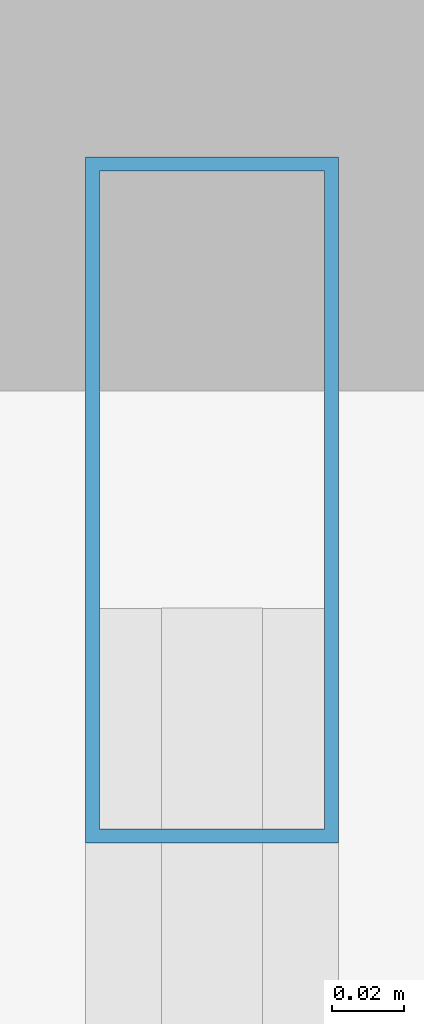
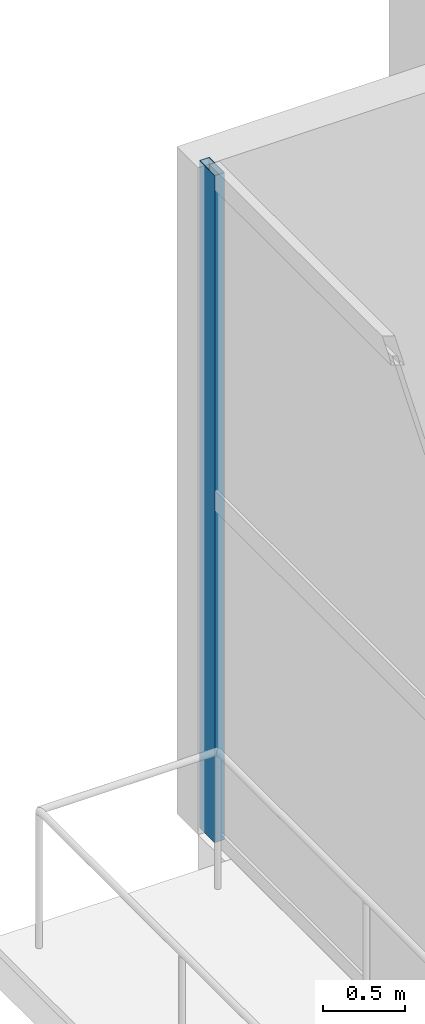
# One storey, part 10 of 19: 1 member, 1 element without a shape of its own.
"""IFC4 building model written with IfcOpenShell, lengths in metres."""

from ifc_helpers import new_model, si_unit, direction, frame, origin, origin_2d, place, context, subcontext, project, spatial, hollow_rectangle, extrude, material, layer, layer_set, material_profile, profile_set, type_object, element, aggregate, save


model = new_model("IFC4")

# Units and contexts
model_context = context("Model", 3, precision=1e-05, world=origin(), true_north=direction((0.0, 1.0)))
body_context = subcontext(model_context, "Body", "Model", "MODEL_VIEW")
ifc_project = project(units=[si_unit("LENGTHUNIT", "METRE"), si_unit("AREAUNIT", "SQUARE_METRE"), si_unit("VOLUMEUNIT", "CUBIC_METRE"), si_unit("PLANEANGLEUNIT", "RADIAN"), si_unit("MASSUNIT", "GRAM", prefix="KILO")], contexts=[model_context])

# Site, building, storey
site_placement = place(None, origin())
site = spatial("IfcSite", under=ifc_project, at=site_placement, CompositionType="ELEMENT")
building_placement = place(site_placement, origin())
building = spatial("IfcBuilding", under=site, at=building_placement, Name="Maruvema Waterfront Hotel and Observation Tower", CompositionType="ELEMENT")
storey_placement = place(building_placement, frame((0.0, 0.0, 359.10009765625)))
storey = spatial("IfcBuildingStorey", under=building, at=storey_placement, Name="L88", CompositionType="ELEMENT", Elevation=359.10009765625)

# Curtain wall, member
ifc_material_1 = material(Name="Anodised bronze aluminium and solar-control low-E IGU", Category="aluminium")
ifc_layer = layer(ifc_material_1, 0.159912109375, Name="Observation Crown Structural Glazed Curtain Wall System CW-06")
ifc_layer_set = layer_set([ifc_layer], Name="Anodised bronze aluminium and solar-control low-E IGU")
curtain_wall_type = type_object("IfcCurtainWallType", Name="Observation Crown Structural Glazed Curtain Wall System CW-06", PredefinedType="USERDEFINED", material=ifc_layer_set)
curtain_wall_placement = place(storey_placement, origin())
curtain_wall = element("IfcCurtainWall", 1, at=curtain_wall_placement, inside=storey, type_object=curtain_wall_type, Name="L88 Curtain Wall CW-L88-W", ObjectType="UNITISED CURTAIN WALL", PredefinedType="USERDEFINED")
ifc_material_2 = material(Name="Anodised architectural bronze aluminium", Category="aluminium")
ifc_material_profile = material_profile(ifc_material_2, hollow_rectangle(XDim=0.070068359375, YDim=0.18994140625, WallThickness=0.00390625, at=origin_2d()), Name="ALU-M70x190")
ifc_profile_set = profile_set([ifc_material_profile], Name="Anodised architectural bronze aluminium")
member_type = type_object("IfcMemberType", Name="Podium Storefront Heavy Mullion ALU-M70x190", PredefinedType="MULLION", material=ifc_profile_set)
member_placement = place(storey_placement, frame((21.179931640625, 50.169921875, 0.0), z_axis=(0.0, 0.0, 1.0), x_axis=(1.0, 0.0, 0.0)))
member = element("IfcMember", 2, at=member_placement, type_object=member_type, Name="CW-06 mullion 1", PredefinedType="MULLION", context=body_context, shape_type="SweptSolid", body=[
    extrude(hollow_rectangle(XDim=0.070068359375, YDim=0.18994140625, WallThickness=0.00390625, at=origin_2d()), origin(), (0.0, 0.0, 1.0), 4.969970703125),
])
aggregate(curtain_wall, [member])

save(model, "model.ifc")
